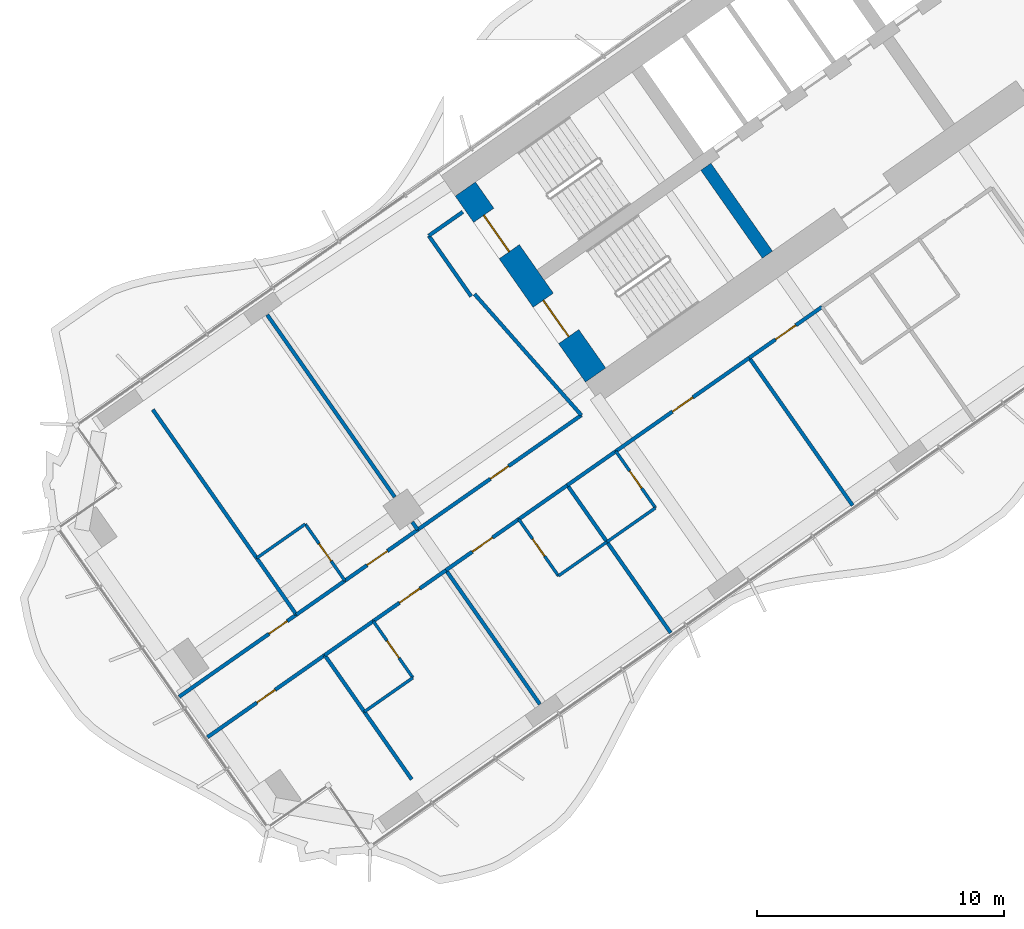
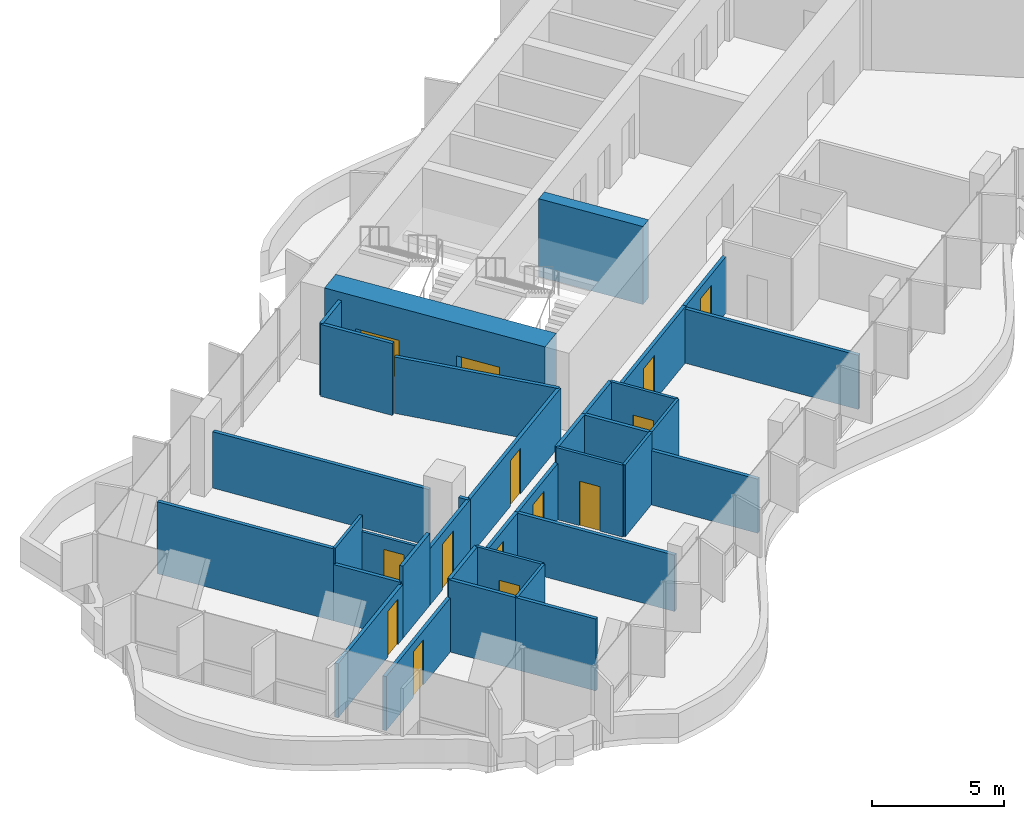
# One storey, part 12 of 23: 35 walls, 14 doors, 14 openings.
"""IFC4 building model written with IfcOpenShell, lengths in metres."""

from ifc_helpers import new_model, si_unit, direction, frame, frame_2d, origin, place, context, subcontext, project, spatial, polyline, rectangle, outline, extrude, material, layer, layer_set, type_object, element, fill, save


model = new_model("IFC4")

# Units and contexts
model_context = context("Model", 3, precision=1e-05, world=origin(), true_north=direction((0.0, 1.0)))
body_context = subcontext(model_context, "Body", "Model", "MODEL_VIEW")
ifc_project = project(units=[si_unit("LENGTHUNIT", "METRE"), si_unit("AREAUNIT", "SQUARE_METRE"), si_unit("VOLUMEUNIT", "CUBIC_METRE"), si_unit("PLANEANGLEUNIT", "RADIAN"), si_unit("MASSUNIT", "GRAM", prefix="KILO")], contexts=[model_context])

# Site, building, storey
site_placement = place(None, origin())
site = spatial("IfcSite", under=ifc_project, at=site_placement, CompositionType="ELEMENT")
building_placement = place(site_placement, origin())
building = spatial("IfcBuilding", under=site, at=building_placement, Name="Tel Ilan Convention Tower", CompositionType="ELEMENT")
storey_placement = place(building_placement, frame((0.0, 0.0, 94.10009765625)))
storey = spatial("IfcBuildingStorey", under=building, at=storey_placement, Name="L19", CompositionType="ELEMENT", Elevation=94.10009765625)

# Wall, openings, doors
ifc_material_1 = material(Name="Concrete C60/75", Category="concrete")
ifc_layer_1 = layer(ifc_material_1, 1.0)
ifc_layer_set_1 = layer_set([ifc_layer_1], Name="Core Shear Wall 1000 mm C60/75")
wall_type_1 = type_object("IfcWallType", Name="Core Shear Wall 1000 mm C60/75", PredefinedType="SHEAR", material=ifc_layer_set_1)
wall_1_placement = place(storey_placement, frame((-21.70751953125, -15.19970703125, 0.0), z_axis=(0.0, 0.0, 1.0), x_axis=(-0.573576324356, 0.819152122709, 0.0)))
wall_1 = element("IfcWall", 1, at=wall_1_placement, inside=storey, type_object=wall_type_1, Name="L19 core wall W-end", PredefinedType="SHEAR", context=body_context, shape_type="SweptSolid", body=[
    extrude(outline(polyline([(0.0, 0.5), (0.0, -0.5), (9.199951171875, -0.5), (9.199951171875, 0.5), (0.0, 0.5)])), origin(), (0.0, 0.0, 1.0), 3.599853515625),
])
opening_1_placement = place(wall_1_placement, frame((6.10009765625, 0.0, 0.0)))
opening_1 = element("IfcOpeningElement", 2, at=opening_1_placement, cuts=wall_1, Name="Opening SD1701", PredefinedType="OPENING", context=body_context, shape_type="SweptSolid", body=[
    extrude(rectangle(XDim=1.800048828125, YDim=2.10009765625, at=frame_2d((0.89990234375, 1.050048828125))), frame((0.0, 0.510009765625, 0.0), z_axis=(0.0, -1.0, 0.0), x_axis=(1.0, 0.0, 0.0)), (0.0, 0.0, 1.0), 1.02001953125),
])
opening_2_placement = place(wall_1_placement, frame((1.89990234375, 0.0, 0.0)))
opening_2 = element("IfcOpeningElement", 3, at=opening_2_placement, cuts=wall_1, Name="Opening SD1702", PredefinedType="OPENING", context=body_context, shape_type="SweptSolid", body=[
    extrude(rectangle(XDim=1.800048828125, YDim=2.10009765625, at=frame_2d((0.89990234375, 1.050048828125))), frame((0.0, 0.510009765625, 0.0), z_axis=(0.0, -1.0, 0.0), x_axis=(1.0, 0.0, 0.0)), (0.0, 0.0, 1.0), 1.02001953125),
])
ifc_material_2 = material(Name="Galvanised Steel Door Leaf", Category="steel")
door_type_1 = type_object("IfcDoorType", Name="Stair Fire Door 1800 x 2100 FD60S", OperationType="NOTDEFINED", PredefinedType="DOOR", material=ifc_material_2)
door_1_placement = place(opening_1_placement, origin())
door_1 = element("IfcDoor", 4, at=door_1_placement, inside=storey, type_object=door_type_1, Name="Stair S1 door", OperationType="DOUBLE_DOOR_SINGLE_SWING", OverallHeight=2.10009765625, OverallWidth=1.800048828125, PredefinedType="DOOR", context=body_context, shape_type="SweptSolid", body=[
    extrude(rectangle(XDim=1.800048828125, YDim=2.10009765625, at=frame_2d((0.89990234375, 1.050048828125))), frame((0.0, 0.02490234375, 0.0), z_axis=(0.0, -1.0, 0.0), x_axis=(1.0, 0.0, 0.0)), (0.0, 0.0, 1.0), 0.050048828125),
])
fill(opening_1, door_1)
door_2_placement = place(opening_2_placement, origin())
door_2 = element("IfcDoor", 5, at=door_2_placement, inside=storey, type_object=door_type_1, Name="Stair S2 door", OperationType="DOUBLE_DOOR_SINGLE_SWING", OverallHeight=2.10009765625, OverallWidth=1.800048828125, PredefinedType="DOOR", context=body_context, shape_type="SweptSolid", body=[
    extrude(rectangle(XDim=1.800048828125, YDim=2.10009765625, at=frame_2d((0.89990234375, 1.050048828125))), frame((0.0, 0.02490234375, 0.0), z_axis=(0.0, -1.0, 0.0), x_axis=(1.0, 0.0, 0.0)), (0.0, 0.0, 1.0), 0.050048828125),
])
fill(opening_2, door_2)

# Wall
ifc_material_3 = material(Name="Concrete C60/75", Category="concrete")
ifc_layer_2 = layer(ifc_material_3, 0.5)
ifc_layer_set_2 = layer_set([ifc_layer_2], Name="Core Shear Wall 500 mm C60/75")
wall_type_2 = type_object("IfcWallType", Name="Core Shear Wall 500 mm C60/75", PredefinedType="SHEAR", material=ifc_layer_set_2)
wall_2_placement = place(storey_placement, frame((-14.74462890625, -10.324462890625, 0.0), z_axis=(0.0, 0.0, 1.0), x_axis=(-0.57356780395, 0.819158088694, 0.0)))
element("IfcWall", 6, at=wall_2_placement, inside=storey, type_object=wall_type_2, Name="L19 core wall W-cross2-1", PredefinedType="SHEAR", context=body_context, shape_type="SweptSolid", body=[
    extrude(outline(polyline([(4.35009765625, 0.250244140625), (0.0, 0.25), (0.0, -0.25), (4.35009765625, -0.25), (4.35009765625, 0.250244140625)])), origin(), (0.0, 0.0, 1.0), 3.599853515625),
])

# Wall, opening, door
ifc_material_4 = material(Name="Plasterboard on Steel Studs", Category="steel")
ifc_layer_3 = layer(ifc_material_4, 0.14990234375)
ifc_layer_set_3 = layer_set([ifc_layer_3], Name="Fire-rated Partition 150 EI 60")
wall_type_3 = type_object("IfcWallType", Name="Fire-rated Partition 150 EI 60", PredefinedType="PARTITIONING", material=ifc_layer_set_3)
wall_3_placement = place(storey_placement, frame((-28.91748046875, -21.468994140625, 0.0), z_axis=(0.0, 0.0, 1.0), x_axis=(0.819152599934, 0.573575642807, 0.0)))
wall_3 = element("IfcWall", 7, at=wall_3_placement, inside=storey, type_object=wall_type_3, Name="Partition 019", PredefinedType="PARTITIONING", context=body_context, shape_type="SweptSolid", body=[
    extrude(rectangle(XDim=8.098388671875, YDim=0.14990234375, at=frame_2d((4.04931640625, 0.0))), origin(), (0.0, 0.0, 1.0), 2.599853515625),
])
opening_3_placement = place(wall_3_placement, frame((3.59912109375, 0.0, 0.0)))
opening_3 = element("IfcOpeningElement", 8, at=opening_3_placement, cuts=wall_3, Name="Opening L19-012", PredefinedType="OPENING", context=body_context, shape_type="SweptSolid", body=[
    extrude(rectangle(XDim=0.89990234375, YDim=2.10009765625, at=frame_2d((0.449951171875, 1.050048828125))), frame((0.0, 0.0849609375, 0.0), z_axis=(0.0, -1.0, 0.0), x_axis=(1.0, 0.0, 0.0)), (0.0, 0.0, 1.0), 0.169921875),
])
ifc_material_5 = material(Name="Timber Door Leaf in Steel Frame", Category="steel")
door_type_2 = type_object("IfcDoorType", Name="Room Fire Door 900x2100", OperationType="NOTDEFINED", PredefinedType="DOOR", material=ifc_material_5)
door_3_placement = place(opening_3_placement, origin())
door_3 = element("IfcDoor", 9, at=door_3_placement, inside=storey, type_object=door_type_2, Name="Door L19-012", OperationType="SINGLE_SWING_RIGHT", OverallHeight=2.10009765625, OverallWidth=0.89990234375, PredefinedType="DOOR", context=body_context, shape_type="SweptSolid", body=[
    extrude(rectangle(XDim=0.89990234375, YDim=2.10009765625, at=frame_2d((0.449951171875, 1.050048828125))), frame((0.0, 0.02490234375, 0.0), z_axis=(0.0, -1.0, 0.0), x_axis=(1.0, 0.0, 0.0)), (0.0, 0.0, 1.0), 0.050048828125),
])
fill(opening_3, door_3)

wall_4_placement = place(storey_placement, frame((-31.86572265625, -23.533447265625, 0.0), z_axis=(0.0, 0.0, 1.0), x_axis=(0.819145961204, 0.573585123798, 0.0)))
wall_4 = element("IfcWall", 10, at=wall_4_placement, inside=storey, type_object=wall_type_3, Name="Partition 020", PredefinedType="PARTITIONING", context=body_context, shape_type="SweptSolid", body=[
    extrude(rectangle(XDim=3.60302734375, YDim=0.14990234375, at=frame_2d((1.801513671875, 0.0))), origin(), (0.0, 0.0, 1.0), 2.599853515625),
])
opening_4_placement = place(wall_4_placement, frame((1.10107421875, 0.0, 0.0)))
opening_4 = element("IfcOpeningElement", 11, at=opening_4_placement, cuts=wall_4, Name="Opening L19-014", PredefinedType="OPENING", context=body_context, shape_type="SweptSolid", body=[
    extrude(rectangle(XDim=1.0, YDim=2.10009765625, at=frame_2d((0.5, 1.050048828125))), frame((0.0, 0.0849609375, 0.0), z_axis=(0.0, -1.0, 0.0), x_axis=(1.0, 0.0, 0.0)), (0.0, 0.0, 1.0), 0.169921875),
])
ifc_material_6 = material(Name="Timber Door Leaf in Steel Frame", Category="steel")
door_type_3 = type_object("IfcDoorType", Name="Hotel Room Entrance Fire Door 1000x2100", OperationType="NOTDEFINED", PredefinedType="DOOR", material=ifc_material_6)
door_4_placement = place(opening_4_placement, origin())
door_4 = element("IfcDoor", 12, at=door_4_placement, inside=storey, type_object=door_type_3, Name="Door L19-014", OperationType="SINGLE_SWING_RIGHT", OverallHeight=2.10009765625, OverallWidth=1.0, PredefinedType="DOOR", context=body_context, shape_type="SweptSolid", body=[
    extrude(rectangle(XDim=1.0, YDim=2.10009765625, at=frame_2d((0.5, 1.050048828125))), frame((0.0, 0.02490234375, 0.0), z_axis=(0.0, -1.0, 0.0), x_axis=(1.0, 0.0, 0.0)), (0.0, 0.0, 1.0), 0.050048828125),
])
fill(opening_4, door_4)

# Wall
wall_5_placement = place(storey_placement, frame((-33.83251953125, -24.910400390625, 0.0), z_axis=(0.0, 0.0, 1.0), x_axis=(0.819146032251, 0.573585022335, 0.0)))
element("IfcWall", 13, at=wall_5_placement, inside=storey, type_object=wall_type_3, Name="Partition 021", PredefinedType="PARTITIONING", context=body_context, shape_type="SweptSolid", body=[
    extrude(rectangle(XDim=2.404052734375, YDim=0.14990234375, at=frame_2d((1.2021484375, 0.0))), origin(), (0.0, 0.0, 1.0), 3.31982421875),
])

# Wall, opening, door
wall_6_placement = place(storey_placement, frame((-38.581787109375, -28.236083984375, 0.0), z_axis=(0.0, 0.0, 1.0), x_axis=(0.819150860942, 0.573578126342, 0.0)))
wall_6 = element("IfcWall", 14, at=wall_6_placement, inside=storey, type_object=wall_type_3, Name="Partition 022", PredefinedType="PARTITIONING", context=body_context, shape_type="SweptSolid", body=[
    extrude(rectangle(XDim=5.802001953125, YDim=0.14990234375, at=frame_2d((2.90087890625, 0.0))), origin(), (0.0, 0.0, 1.0), 2.5),
])
opening_5_placement = place(wall_6_placement, frame((4.450927734375, 0.0, 0.0)))
opening_5 = element("IfcOpeningElement", 15, at=opening_5_placement, cuts=wall_6, Name="Opening L19-015", PredefinedType="OPENING", context=body_context, shape_type="SweptSolid", body=[
    extrude(rectangle(XDim=0.89990234375, YDim=2.10009765625, at=frame_2d((0.449951171875, 1.050048828125))), frame((0.0, 0.0849609375, 0.0), z_axis=(0.0, -1.0, 0.0), x_axis=(1.0, 0.0, 0.0)), (0.0, 0.0, 1.0), 0.169921875),
])
door_5_placement = place(opening_5_placement, origin())
door_5 = element("IfcDoor", 16, at=door_5_placement, inside=storey, type_object=door_type_2, Name="Door L19-015", OperationType="SINGLE_SWING_RIGHT", OverallHeight=2.10009765625, OverallWidth=0.89990234375, PredefinedType="DOOR", context=body_context, shape_type="SweptSolid", body=[
    extrude(rectangle(XDim=0.89990234375, YDim=2.10009765625, at=frame_2d((0.449951171875, 1.050048828125))), frame((0.0, 0.02490234375, 0.0), z_axis=(0.0, -1.0, 0.0), x_axis=(1.0, 0.0, 0.0)), (0.0, 0.0, 1.0), 0.050048828125),
])
fill(opening_5, door_5)

wall_7_placement = place(storey_placement, frame((-12.53173828125, -12.43701171875, 0.0), z_axis=(0.0, 0.0, 1.0), x_axis=(-0.819145961204, -0.573585123798, 0.0)))
wall_7 = element("IfcWall", 17, at=wall_7_placement, inside=storey, type_object=wall_type_3, Name="Partition 025", PredefinedType="PARTITIONING", context=body_context, shape_type="SweptSolid", body=[
    extrude(rectangle(XDim=3.60302734375, YDim=0.14990234375, at=frame_2d((1.801513671875, 0.0))), origin(), (0.0, 0.0, 1.0), 2.599853515625),
])
opening_6_placement = place(wall_7_placement, frame((1.301025390625, 0.0, 0.0)))
opening_6 = element("IfcOpeningElement", 18, at=opening_6_placement, cuts=wall_7, Name="Opening L19-004", PredefinedType="OPENING", context=body_context, shape_type="SweptSolid", body=[
    extrude(rectangle(XDim=1.0, YDim=2.10009765625, at=frame_2d((0.5, 1.050048828125))), frame((0.0, 0.0849609375, 0.0), z_axis=(0.0, -1.0, 0.0), x_axis=(1.0, 0.0, 0.0)), (0.0, 0.0, 1.0), 0.169921875),
])
door_6_placement = place(opening_6_placement, origin())
door_6 = element("IfcDoor", 19, at=door_6_placement, inside=storey, type_object=door_type_3, Name="Door L19-004", OperationType="SINGLE_SWING_RIGHT", OverallHeight=2.10009765625, OverallWidth=1.0, PredefinedType="DOOR", context=body_context, shape_type="SweptSolid", body=[
    extrude(rectangle(XDim=1.0, YDim=2.10009765625, at=frame_2d((0.5, 1.050048828125))), frame((0.0, 0.02490234375, 0.0), z_axis=(0.0, -1.0, 0.0), x_axis=(1.0, 0.0, 0.0)), (0.0, 0.0, 1.0), 0.050048828125),
])
fill(opening_6, door_6)

wall_8_placement = place(storey_placement, frame((-15.479736328125, -14.50146484375, 0.0), z_axis=(0.0, 0.0, 1.0), x_axis=(-0.819153746897, -0.573574004767, 0.0)))
wall_8 = element("IfcWall", 20, at=wall_8_placement, inside=storey, type_object=wall_type_3, Name="Partition 027", PredefinedType="PARTITIONING", context=body_context, shape_type="SweptSolid", body=[
    extrude(rectangle(XDim=6.60302734375, YDim=0.14990234375, at=frame_2d((3.301513671875, 0.0))), origin(), (0.0, 0.0, 1.0), 2.599853515625),
])
opening_7_placement = place(wall_8_placement, frame((2.802001953125, 0.0, 0.0)))
opening_7 = element("IfcOpeningElement", 21, at=opening_7_placement, cuts=wall_8, Name="Opening L19-006", PredefinedType="OPENING", context=body_context, shape_type="SweptSolid", body=[
    extrude(rectangle(XDim=1.0, YDim=2.10009765625, at=frame_2d((0.5, 1.050048828125))), frame((0.0, 0.0849609375, 0.0), z_axis=(0.0, -1.0, 0.0), x_axis=(1.0, 0.0, 0.0)), (0.0, 0.0, 1.0), 0.169921875),
])
door_7_placement = place(opening_7_placement, origin())
door_7 = element("IfcDoor", 22, at=door_7_placement, inside=storey, type_object=door_type_3, Name="Door L19-006", OperationType="SINGLE_SWING_LEFT", OverallHeight=2.10009765625, OverallWidth=1.0, PredefinedType="DOOR", context=body_context, shape_type="SweptSolid", body=[
    extrude(rectangle(XDim=1.0, YDim=2.10009765625, at=frame_2d((0.5, 1.050048828125))), frame((0.0, 0.02490234375, 0.0), z_axis=(0.0, -1.0, 0.0), x_axis=(1.0, 0.0, 0.0)), (0.0, 0.0, 1.0), 0.050048828125),
])
fill(opening_7, door_7)

# Wall
wall_9_placement = place(storey_placement, frame((-20.88623046875, -18.287109375, 0.0), z_axis=(0.0, 0.0, 1.0), x_axis=(-0.819146032251, -0.573585022335, 0.0)))
element("IfcWall", 23, at=wall_9_placement, inside=storey, type_object=wall_type_3, Name="Partition 028", PredefinedType="PARTITIONING", context=body_context, shape_type="SweptSolid", body=[
    extrude(rectangle(XDim=2.404052734375, YDim=0.14990234375, at=frame_2d((1.2021484375, 0.0))), origin(), (0.0, 0.0, 1.0), 3.31982421875),
])

# Wall, opening, door
wall_10_placement = place(storey_placement, frame((-24.819091796875, -21.040771484375, 0.0), z_axis=(0.0, 0.0, 1.0), x_axis=(-0.819145961204, -0.573585123798, 0.0)))
wall_10 = element("IfcWall", 24, at=wall_10_placement, inside=storey, type_object=wall_type_3, Name="Partition 029", PredefinedType="PARTITIONING", context=body_context, shape_type="SweptSolid", body=[
    extrude(rectangle(XDim=3.60302734375, YDim=0.14990234375, at=frame_2d((1.801513671875, 0.0))), origin(), (0.0, 0.0, 1.0), 2.599853515625),
])
opening_8_placement = place(wall_10_placement, frame((1.301025390625, 0.0, 0.0)))
opening_8 = element("IfcOpeningElement", 25, at=opening_8_placement, cuts=wall_10, Name="Opening L19-008", PredefinedType="OPENING", context=body_context, shape_type="SweptSolid", body=[
    extrude(rectangle(XDim=1.0, YDim=2.10009765625, at=frame_2d((0.5, 1.050048828125))), frame((0.0, 0.0849609375, 0.0), z_axis=(0.0, -1.0, 0.0), x_axis=(1.0, 0.0, 0.0)), (0.0, 0.0, 1.0), 0.169921875),
])
door_8_placement = place(opening_8_placement, origin())
door_8 = element("IfcDoor", 26, at=door_8_placement, inside=storey, type_object=door_type_3, Name="Door L19-008", OperationType="SINGLE_SWING_RIGHT", OverallHeight=2.10009765625, OverallWidth=1.0, PredefinedType="DOOR", context=body_context, shape_type="SweptSolid", body=[
    extrude(rectangle(XDim=1.0, YDim=2.10009765625, at=frame_2d((0.5, 1.050048828125))), frame((0.0, 0.02490234375, 0.0), z_axis=(0.0, -1.0, 0.0), x_axis=(1.0, 0.0, 0.0)), (0.0, 0.0, 1.0), 0.050048828125),
])
fill(opening_8, door_8)

# Wall
wall_11_placement = place(storey_placement, frame((-22.852294921875, -19.66357421875, 0.0), z_axis=(0.0, 0.0, 1.0), x_axis=(-0.81911261637, -0.573632741136, 0.0)))
element("IfcWall", 27, at=wall_11_placement, inside=storey, type_object=wall_type_3, Name="Partition 030", PredefinedType="PARTITIONING", context=body_context, shape_type="SweptSolid", body=[
    extrude(rectangle(XDim=2.40380859375, YDim=0.14990234375, at=frame_2d((1.201904296875, 0.0))), origin(), (0.0, 0.0, 1.0), 3.31982421875),
])

# Wall, opening, door
wall_12_placement = place(storey_placement, frame((-27.76708984375, -23.10498046875, 0.0), z_axis=(0.0, 0.0, 1.0), x_axis=(-0.819145961204, -0.573585123798, 0.0)))
wall_12 = element("IfcWall", 28, at=wall_12_placement, inside=storey, type_object=wall_type_3, Name="Partition 031", PredefinedType="PARTITIONING", context=body_context, shape_type="SweptSolid", body=[
    extrude(rectangle(XDim=3.60302734375, YDim=0.14990234375, at=frame_2d((1.801513671875, 0.0))), origin(), (0.0, 0.0, 1.0), 2.599853515625),
])
opening_9_placement = place(wall_12_placement, frame((1.302001953125, 0.0, 0.0)))
opening_9 = element("IfcOpeningElement", 29, at=opening_9_placement, cuts=wall_12, Name="Opening L19-010", PredefinedType="OPENING", context=body_context, shape_type="SweptSolid", body=[
    extrude(rectangle(XDim=1.0, YDim=2.10009765625, at=frame_2d((0.5, 1.050048828125))), frame((0.0, 0.0849609375, 0.0), z_axis=(0.0, -1.0, 0.0), x_axis=(1.0, 0.0, 0.0)), (0.0, 0.0, 1.0), 0.169921875),
])
door_9_placement = place(opening_9_placement, origin())
door_9 = element("IfcDoor", 30, at=door_9_placement, inside=storey, type_object=door_type_3, Name="Door L19-010", OperationType="SINGLE_SWING_RIGHT", OverallHeight=2.10009765625, OverallWidth=1.0, PredefinedType="DOOR", context=body_context, shape_type="SweptSolid", body=[
    extrude(rectangle(XDim=1.0, YDim=2.10009765625, at=frame_2d((0.5, 1.050048828125))), frame((0.0, 0.02490234375, 0.0), z_axis=(0.0, -1.0, 0.0), x_axis=(1.0, 0.0, 0.0)), (0.0, 0.0, 1.0), 0.050048828125),
])
fill(opening_9, door_9)

# Wall
wall_13_placement = place(storey_placement, frame((-30.716064453125, -25.169921875, 0.0), z_axis=(0.0, 0.0, 1.0), x_axis=(-0.819146032251, -0.573585022335, 0.0)))
element("IfcWall", 31, at=wall_13_placement, inside=storey, type_object=wall_type_3, Name="Partition 032", PredefinedType="PARTITIONING", context=body_context, shape_type="SweptSolid", body=[
    extrude(rectangle(XDim=2.404052734375, YDim=0.14990234375, at=frame_2d((1.2021484375, 0.0))), origin(), (0.0, 0.0, 1.0), 3.31982421875),
])

# Wall, opening, door
wall_14_placement = place(storey_placement, frame((-32.681884765625, -26.54638671875, 0.0), z_axis=(0.0, 0.0, 1.0), x_axis=(-0.819144934209, -0.573586590463, 0.0)))
wall_14 = element("IfcWall", 32, at=wall_14_placement, inside=storey, type_object=wall_type_3, Name="Partition 033", PredefinedType="PARTITIONING", context=body_context, shape_type="SweptSolid", body=[
    extrude(rectangle(XDim=5.80224609375, YDim=0.14990234375, at=frame_2d((2.901123046875, 0.0))), origin(), (0.0, 0.0, 1.0), 2.5),
])
opening_10_placement = place(wall_14_placement, frame((2.450927734375, 0.0, 0.0)))
opening_10 = element("IfcOpeningElement", 33, at=opening_10_placement, cuts=wall_14, Name="Opening L19-011", PredefinedType="OPENING", context=body_context, shape_type="SweptSolid", body=[
    extrude(rectangle(XDim=0.89990234375, YDim=2.10009765625, at=frame_2d((0.449951171875, 1.050048828125))), frame((0.0, 0.0849609375, 0.0), z_axis=(0.0, -1.0, 0.0), x_axis=(1.0, 0.0, 0.0)), (0.0, 0.0, 1.0), 0.169921875),
])
door_10_placement = place(opening_10_placement, origin())
door_10 = element("IfcDoor", 34, at=door_10_placement, inside=storey, type_object=door_type_2, Name="Door L19-011", OperationType="SINGLE_SWING_RIGHT", OverallHeight=2.10009765625, OverallWidth=0.89990234375, PredefinedType="DOOR", context=body_context, shape_type="SweptSolid", body=[
    extrude(rectangle(XDim=0.89990234375, YDim=2.10009765625, at=frame_2d((0.449951171875, 1.050048828125))), frame((0.0, 0.02490234375, 0.0), z_axis=(0.0, -1.0, 0.0), x_axis=(1.0, 0.0, 0.0)), (0.0, 0.0, 1.0), 0.050048828125),
])
fill(opening_10, door_10)

# Walls
wall_15_placement = place(storey_placement, frame((-26.74609375, -12.013671875, 0.0), z_axis=(0.0, 0.0, 1.0), x_axis=(-0.573560650686, 0.819163097304, 0.0)))
element("IfcWall", 35, at=wall_15_placement, inside=storey, type_object=wall_type_3, Name="Partition 069", PredefinedType="PARTITIONING", context=body_context, shape_type="SweptSolid", body=[
    extrude(rectangle(XDim=3.0, YDim=0.14990234375, at=frame_2d((1.5, 0.0))), origin(), (0.0, 0.0, 1.0), 3.31982421875),
])
wall_16_placement = place(storey_placement, frame((-28.466796875, -9.55615234375, 0.0), z_axis=(0.0, 0.0, 1.0), x_axis=(0.819109000826, 0.573637903879, 0.0)))
element("IfcWall", 36, at=wall_16_placement, inside=storey, type_object=wall_type_3, Name="Partition 070", PredefinedType="PARTITIONING", context=body_context, shape_type="SweptSolid", body=[
    extrude(rectangle(XDim=1.679931640625, YDim=0.14990234375, at=frame_2d((0.83984375, 0.0))), origin(), (0.0, 0.0, 1.0), 3.31982421875),
])
wall_17_placement = place(storey_placement, frame((-22.2841796875, -16.82666015625, 0.0), z_axis=(0.0, 0.0, 1.0), x_axis=(-0.661545117561, 0.749905365651, 0.0)))
element("IfcWall", 37, at=wall_17_placement, inside=storey, type_object=wall_type_3, Name="Partition 071", PredefinedType="PARTITIONING", context=body_context, shape_type="SweptSolid", body=[
    extrude(rectangle(XDim=6.542724609375, YDim=0.14990234375, at=frame_2d((3.271484375, 0.0))), origin(), (0.0, 0.0, 1.0), 2.599853515625),
])
wall_18_placement = place(storey_placement, frame((-28.916015625, -21.468017578125, 0.0), z_axis=(0.0, 0.0, 1.0), x_axis=(-0.572944929411, 0.819593867633, 0.0)))
element("IfcWall", 38, at=wall_18_placement, inside=storey, type_object=wall_type_3, Name="Partition 072", PredefinedType="PARTITIONING", context=body_context, shape_type="SweptSolid", body=[
    extrude(rectangle(XDim=0.380126953125, YDim=0.14990234375, at=frame_2d((0.18994140625, 0.0))), origin(), (0.0, 0.0, 1.0), 2.599853515625),
])
wall_19_placement = place(storey_placement, frame((-29.84521484375, -20.140869140625, 0.0), z_axis=(0.0, 0.0, 1.0), x_axis=(-0.573558725113, 0.819164445546, 0.0)))
element("IfcWall", 39, at=wall_19_placement, inside=storey, type_object=wall_type_3, Name="Partition 073", PredefinedType="PARTITIONING", context=body_context, shape_type="SweptSolid", body=[
    extrude(rectangle(XDim=9.010009765625, YDim=0.14990234375, at=frame_2d((4.5048828125, 0.0))), origin(), (0.0, 0.0, 1.0), 2.599853515625),
])
wall_20_placement = place(storey_placement, frame((-35.4375, -22.614990234375, 0.0), z_axis=(0.0, 0.0, 1.0), x_axis=(-0.573553832693, 0.819167871076, 0.0)))
element("IfcWall", 40, at=wall_20_placement, inside=storey, type_object=wall_type_3, Name="Partition 076", PredefinedType="PARTITIONING", context=body_context, shape_type="SweptSolid", body=[
    extrude(rectangle(XDim=7.3427734375, YDim=0.14990234375, at=frame_2d((3.67138671875, 0.0))), origin(), (0.0, 0.0, 1.0), 3.31982421875),
])
wall_21_placement = place(storey_placement, frame((-33.830810546875, -24.909423828125, 0.0), z_axis=(0.0, 0.0, 1.0), x_axis=(-0.573550118428, 0.819170471667, 0.0)))
element("IfcWall", 41, at=wall_21_placement, inside=storey, type_object=wall_type_3, Name="Partition 077", PredefinedType="PARTITIONING", context=body_context, shape_type="SweptSolid", body=[
    extrude(rectangle(XDim=2.800048828125, YDim=0.14990234375, at=frame_2d((1.39990234375, 0.0))), origin(), (0.0, 0.0, 1.0), 2.599853515625),
])
wall_22_placement = place(storey_placement, frame((-11.29443359375, -20.482421875, 0.0), z_axis=(0.0, 0.0, 1.0), x_axis=(-0.573572324301, 0.819154923562, 0.0)))
element("IfcWall", 42, at=wall_22_placement, inside=storey, type_object=wall_type_3, Name="Partition 084", PredefinedType="PARTITIONING", context=body_context, shape_type="SweptSolid", body=[
    extrude(rectangle(XDim=7.2998046875, YDim=0.14990234375, at=frame_2d((3.64990234375, 0.0))), origin(), (0.0, 0.0, 1.0), 2.5),
])
wall_23_placement = place(storey_placement, frame((-18.666748046875, -25.64453125, 0.0), z_axis=(0.0, 0.0, 1.0), x_axis=(-0.573589807488, 0.819142681555, 0.0)))
element("IfcWall", 43, at=wall_23_placement, inside=storey, type_object=wall_type_3, Name="Partition 087", PredefinedType="PARTITIONING", context=body_context, shape_type="SweptSolid", body=[
    extrude(rectangle(XDim=4.4990234375, YDim=0.14990234375, at=frame_2d((2.24951171875, 0.0))), origin(), (0.0, 0.0, 1.0), 2.5),
])
wall_24_placement = place(storey_placement, frame((-21.247802734375, -21.95849609375, 0.0), z_axis=(0.0, 0.0, 1.0), x_axis=(-0.573550118428, 0.819170471667, 0.0)))
element("IfcWall", 44, at=wall_24_placement, inside=storey, type_object=wall_type_3, Name="Partition 088", PredefinedType="PARTITIONING", context=body_context, shape_type="SweptSolid", body=[
    extrude(rectangle(XDim=2.800048828125, YDim=0.14990234375, at=frame_2d((1.39990234375, 0.0))), origin(), (0.0, 0.0, 1.0), 3.31982421875),
])
wall_25_placement = place(storey_placement, frame((-23.9658203125, -28.537109375, 0.0), z_axis=(0.0, 0.0, 1.0), x_axis=(-0.57359826181, 0.819136761505, 0.0)))
element("IfcWall", 45, at=wall_25_placement, inside=storey, type_object=wall_type_3, Name="Partition 091", PredefinedType="PARTITIONING", context=body_context, shape_type="SweptSolid", body=[
    extrude(rectangle(XDim=6.630126953125, YDim=0.14990234375, at=frame_2d((3.31494140625, 0.0))), origin(), (0.0, 0.0, 1.0), 2.599853515625),
])
wall_26_placement = place(storey_placement, frame((-29.159912109375, -31.580078125, 0.0), z_axis=(0.0, 0.0, 1.0), x_axis=(-0.57358488866, 0.819146125853, 0.0)))
element("IfcWall", 46, at=wall_26_placement, inside=storey, type_object=wall_type_3, Name="Partition 094", PredefinedType="PARTITIONING", context=body_context, shape_type="SweptSolid", body=[
    extrude(rectangle(XDim=3.342529296875, YDim=0.14990234375, at=frame_2d((1.67138671875, 0.0))), origin(), (0.0, 0.0, 1.0), 3.31982421875),
])
wall_27_placement = place(storey_placement, frame((-31.07763671875, -28.84130859375, 0.0), z_axis=(0.0, 0.0, 1.0), x_axis=(-0.573550118428, 0.819170471667, 0.0)))
element("IfcWall", 47, at=wall_27_placement, inside=storey, type_object=wall_type_3, Name="Partition 095", PredefinedType="PARTITIONING", context=body_context, shape_type="SweptSolid", body=[
    extrude(rectangle(XDim=2.800048828125, YDim=0.14990234375, at=frame_2d((1.39990234375, 0.0))), origin(), (0.0, 0.0, 1.0), 3.31982421875),
])

# Wall, opening, door
ifc_material_7 = material(Name="Plasterboard on Steel Studs", Category="steel")
ifc_layer_4 = layer(ifc_material_7, 0.1201171875)
ifc_layer_set_4 = layer_set([ifc_layer_4], Name="Moisture-resistant Partition 120")
wall_type_4 = type_object("IfcWallType", Name="Moisture-resistant Partition 120", PredefinedType="PARTITIONING", material=ifc_layer_set_4)
wall_28_placement = place(storey_placement, frame((-31.864013671875, -23.5322265625, 0.0), z_axis=(0.0, 0.0, 1.0), x_axis=(-0.573550118428, 0.819170471667, 0.0)))
wall_28 = element("IfcWall", 48, at=wall_28_placement, inside=storey, type_object=wall_type_4, Name="Partition 074", PredefinedType="PARTITIONING", context=body_context, shape_type="SweptSolid", body=[
    extrude(rectangle(XDim=2.800048828125, YDim=0.1201171875, at=frame_2d((1.39990234375, 0.0))), origin(), (0.0, 0.0, 1.0), 2.599853515625),
])
opening_11_placement = place(wall_28_placement, frame((0.97509765625, 0.0, 0.0)))
opening_11 = element("IfcOpeningElement", 49, at=opening_11_placement, cuts=wall_28, Name="Opening L19-013", PredefinedType="OPENING", context=body_context, shape_type="SweptSolid", body=[
    extrude(rectangle(XDim=0.85009765625, YDim=2.050048828125, at=frame_2d((0.425048828125, 1.02490234375))), frame((0.0, 0.070068359375, 0.0), z_axis=(0.0, -1.0, 0.0), x_axis=(1.0, 0.0, 0.0)), (0.0, 0.0, 1.0), 0.14013671875),
])
ifc_material_8 = material(Name="Timber Door Leaf in Steel Frame", Category="steel")
door_type_4 = type_object("IfcDoorType", Name="Bathroom Timber Door 850x2050", OperationType="NOTDEFINED", PredefinedType="DOOR", material=ifc_material_8)
door_11_placement = place(opening_11_placement, origin())
door_11 = element("IfcDoor", 50, at=door_11_placement, inside=storey, type_object=door_type_4, Name="Door L19-013", OperationType="SINGLE_SWING_LEFT", OverallHeight=2.050048828125, OverallWidth=0.85009765625, PredefinedType="DOOR", context=body_context, shape_type="SweptSolid", body=[
    extrude(rectangle(XDim=0.85009765625, YDim=2.050048828125, at=frame_2d((0.425048828125, 1.02490234375))), frame((0.0, 0.02490234375, 0.0), z_axis=(0.0, -1.0, 0.0), x_axis=(1.0, 0.0, 0.0)), (0.0, 0.0, 1.0), 0.050048828125),
])
fill(opening_11, door_11)

# Walls
for number, where, z_axis, x_axis, name in (
    (51, (-33.471435546875, -21.23828125, 0.0), (0.0, 0.0, 1.0), (-0.819141114317, -0.573592045652, 0.0), "Partition 075"),
    (52, (-21.247314453125, -21.959228515625, 0.0), (0.0, 0.0, 1.0), (0.819141114317, 0.573592045652, 0.0), "Partition 085"),
):
    element("IfcWall", number, at=place(storey_placement, frame(where, z_axis=z_axis, x_axis=x_axis)), inside=storey, type_object=wall_type_4, Name=name, PredefinedType="PARTITIONING", context=body_context, shape_type="SweptSolid", body=[
        extrude(rectangle(XDim=2.400146484375, YDim=0.1201171875, at=frame_2d((1.2001953125, 0.0))), origin(), (0.0, 0.0, 1.0), 3.31982421875),
    ])

# Wall, opening, door
wall_29_placement = place(storey_placement, frame((-19.281005859375, -20.581298828125, 0.0), z_axis=(0.0, 0.0, 1.0), x_axis=(-0.573550118428, 0.819170471667, 0.0)))
wall_29 = element("IfcWall", 53, at=wall_29_placement, inside=storey, type_object=wall_type_4, Name="Partition 086", PredefinedType="PARTITIONING", context=body_context, shape_type="SweptSolid", body=[
    extrude(rectangle(XDim=2.800048828125, YDim=0.1201171875, at=frame_2d((1.39990234375, 0.0))), origin(), (0.0, 0.0, 1.0), 3.31982421875),
])
opening_12_placement = place(wall_29_placement, frame((0.97509765625, 0.0, 0.0)))
opening_12 = element("IfcOpeningElement", 54, at=opening_12_placement, cuts=wall_29, Name="Opening L19-005", PredefinedType="OPENING", context=body_context, shape_type="SweptSolid", body=[
    extrude(rectangle(XDim=0.85009765625, YDim=2.050048828125, at=frame_2d((0.425048828125, 1.02490234375))), frame((0.0, 0.070068359375, 0.0), z_axis=(0.0, -1.0, 0.0), x_axis=(1.0, 0.0, 0.0)), (0.0, 0.0, 1.0), 0.14013671875),
])
door_12_placement = place(opening_12_placement, origin())
door_12 = element("IfcDoor", 55, at=door_12_placement, inside=storey, type_object=door_type_4, Name="Door L19-005", OperationType="SINGLE_SWING_LEFT", OverallHeight=2.050048828125, OverallWidth=0.85009765625, PredefinedType="DOOR", context=body_context, shape_type="SweptSolid", body=[
    extrude(rectangle(XDim=0.85009765625, YDim=2.050048828125, at=frame_2d((0.425048828125, 1.02490234375))), frame((0.0, 0.02490234375, 0.0), z_axis=(0.0, -1.0, 0.0), x_axis=(1.0, 0.0, 0.0)), (0.0, 0.0, 1.0), 0.050048828125),
])
fill(opening_12, door_12)

wall_30_placement = place(storey_placement, frame((-24.820556640625, -21.0419921875, 0.0), z_axis=(0.0, 0.0, 1.0), x_axis=(0.573591086599, -0.819141785879, 0.0)))
wall_30 = element("IfcWall", 56, at=wall_30_placement, inside=storey, type_object=wall_type_4, Name="Partition 089", PredefinedType="PARTITIONING", context=body_context, shape_type="SweptSolid", body=[
    extrude(rectangle(XDim=2.7998046875, YDim=0.1201171875, at=frame_2d((1.39990234375, 0.0))), origin(), (0.0, 0.0, 1.0), 3.31982421875),
])
opening_13_placement = place(wall_30_placement, frame((0.97509765625, 0.0, 0.0)))
opening_13 = element("IfcOpeningElement", 57, at=opening_13_placement, cuts=wall_30, Name="Opening L19-007", PredefinedType="OPENING", context=body_context, shape_type="SweptSolid", body=[
    extrude(rectangle(XDim=0.85009765625, YDim=2.050048828125, at=frame_2d((0.425048828125, 1.02490234375))), frame((0.0, 0.070068359375, 0.0), z_axis=(0.0, -1.0, 0.0), x_axis=(1.0, 0.0, 0.0)), (0.0, 0.0, 1.0), 0.14013671875),
])
door_13_placement = place(opening_13_placement, origin())
door_13 = element("IfcDoor", 58, at=door_13_placement, inside=storey, type_object=door_type_4, Name="Door L19-007", OperationType="SINGLE_SWING_LEFT", OverallHeight=2.050048828125, OverallWidth=0.85009765625, PredefinedType="DOOR", context=body_context, shape_type="SweptSolid", body=[
    extrude(rectangle(XDim=0.85009765625, YDim=2.050048828125, at=frame_2d((0.425048828125, 1.02490234375))), frame((0.0, 0.02490234375, 0.0), z_axis=(0.0, -1.0, 0.0), x_axis=(1.0, 0.0, 0.0)), (0.0, 0.0, 1.0), 0.050048828125),
])
fill(opening_13, door_13)

# Walls
for number, where, z_axis, x_axis, name in (
    (59, (-23.213134765625, -23.335693359375, 0.0), (0.0, 0.0, 1.0), (0.819155442668, 0.573571582932, 0.0), "Partition 090"),
    (60, (-31.0771484375, -28.842041015625, 0.0), (0.0, 0.0, 1.0), (0.819188907105, 0.573523787192, 0.0), "Partition 092"),
):
    element("IfcWall", number, at=place(storey_placement, frame(where, z_axis=z_axis, x_axis=x_axis)), inside=storey, type_object=wall_type_4, Name=name, PredefinedType="PARTITIONING", context=body_context, shape_type="SweptSolid", body=[
        extrude(rectangle(XDim=2.39990234375, YDim=0.1201171875, at=frame_2d((1.199951171875, 0.0))), origin(), (0.0, 0.0, 1.0), 3.31982421875),
    ])

# Wall, opening, door
wall_31_placement = place(storey_placement, frame((-29.11083984375, -27.464111328125, 0.0), z_axis=(0.0, 0.0, 1.0), x_axis=(-0.573550118428, 0.819170471667, 0.0)))
wall_31 = element("IfcWall", 61, at=wall_31_placement, inside=storey, type_object=wall_type_4, Name="Partition 093", PredefinedType="PARTITIONING", context=body_context, shape_type="SweptSolid", body=[
    extrude(rectangle(XDim=2.800048828125, YDim=0.1201171875, at=frame_2d((1.39990234375, 0.0))), origin(), (0.0, 0.0, 1.0), 3.31982421875),
])
opening_14_placement = place(wall_31_placement, frame((0.97509765625, 0.0, 0.0)))
opening_14 = element("IfcOpeningElement", 62, at=opening_14_placement, cuts=wall_31, Name="Opening L19-009", PredefinedType="OPENING", context=body_context, shape_type="SweptSolid", body=[
    extrude(rectangle(XDim=0.85009765625, YDim=2.050048828125, at=frame_2d((0.425048828125, 1.02490234375))), frame((0.0, 0.070068359375, 0.0), z_axis=(0.0, -1.0, 0.0), x_axis=(1.0, 0.0, 0.0)), (0.0, 0.0, 1.0), 0.14013671875),
])
door_14_placement = place(opening_14_placement, origin())
door_14 = element("IfcDoor", 63, at=door_14_placement, inside=storey, type_object=door_type_4, Name="Door L19-009", OperationType="SINGLE_SWING_LEFT", OverallHeight=2.050048828125, OverallWidth=0.85009765625, PredefinedType="DOOR", context=body_context, shape_type="SweptSolid", body=[
    extrude(rectangle(XDim=0.85009765625, YDim=2.050048828125, at=frame_2d((0.425048828125, 1.02490234375))), frame((0.0, 0.02490234375, 0.0), z_axis=(0.0, -1.0, 0.0), x_axis=(1.0, 0.0, 0.0)), (0.0, 0.0, 1.0), 0.050048828125),
])
fill(opening_14, door_14)

save(model, "model.ifc")
